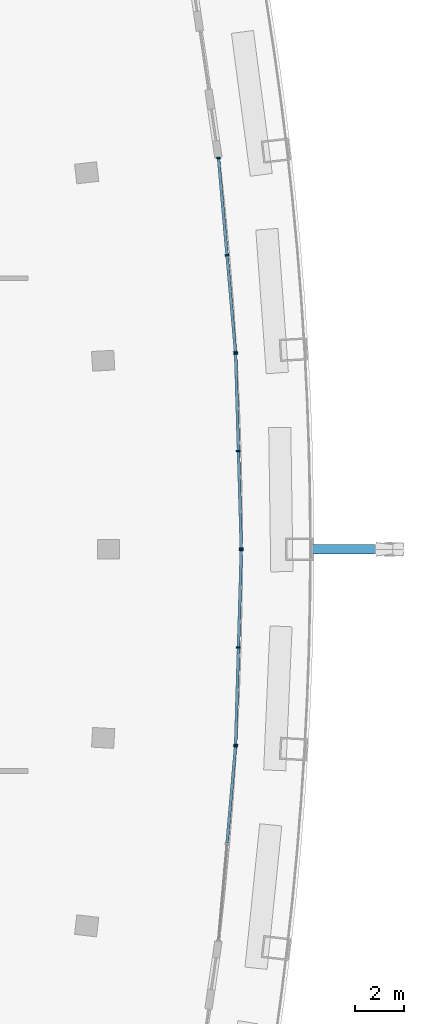
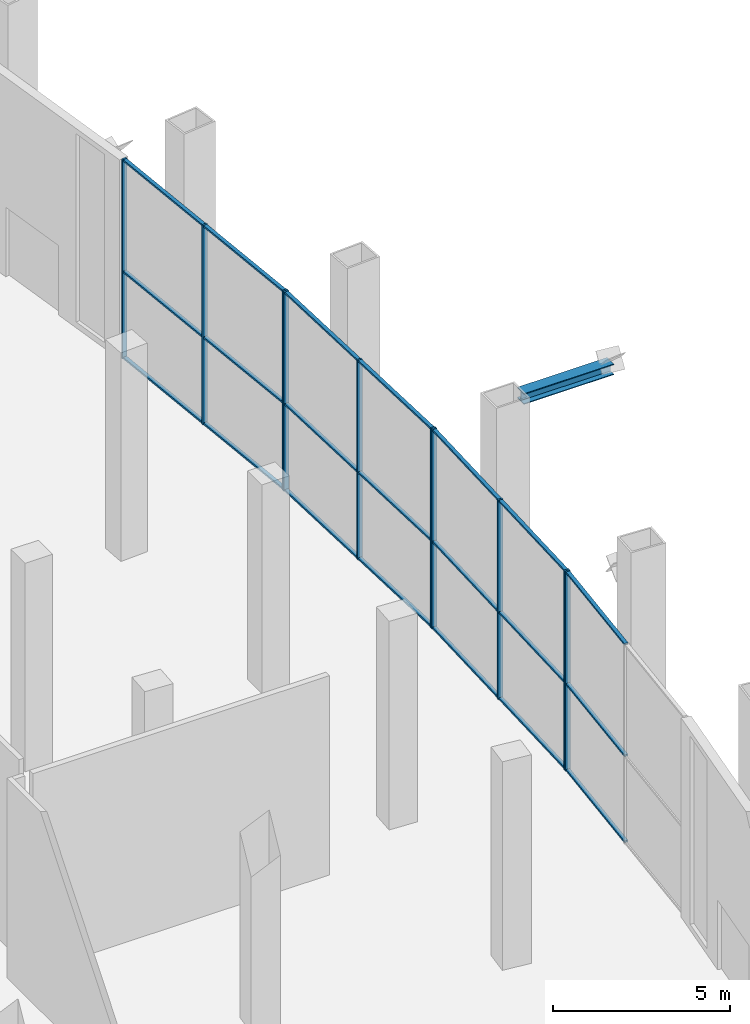
# One storey, part 11 of 26: 32 members, 4 elements without a shape of their own.
"""IFC4 building model written with IfcOpenShell, lengths in metres."""

from ifc_helpers import new_model, si_unit, direction, frame, origin, origin_2d, place, context, subcontext, project, spatial, rectangle, i_section, extrude, material, layer, layer_set, material_profile, profile_set, type_object, element, aggregate, save


model = new_model("IFC4")

# Units and contexts
model_context = context("Model", 3, precision=1e-05, world=origin(), true_north=direction((0.0, 1.0)))
body_context = subcontext(model_context, "Body", "Model", "MODEL_VIEW")
ifc_project = project(units=[si_unit("LENGTHUNIT", "METRE"), si_unit("AREAUNIT", "SQUARE_METRE"), si_unit("VOLUMEUNIT", "CUBIC_METRE"), si_unit("PLANEANGLEUNIT", "RADIAN"), si_unit("MASSUNIT", "GRAM", prefix="KILO")], contexts=[model_context])

# Site, building, storey
site_placement = place(None, origin())
site = spatial("IfcSite", under=ifc_project, at=site_placement, CompositionType="ELEMENT")
building_placement = place(site_placement, origin())
building = spatial("IfcBuilding", under=site, at=building_placement, Name="Alderwake Tower", CompositionType="ELEMENT")
storey_placement = place(building_placement, frame((0.0, 0.0, 182.0)))
storey = spatial("IfcBuildingStorey", under=building, at=storey_placement, Name="L45", CompositionType="ELEMENT", Elevation=182.0)

# Member
ifc_material_1 = material(Name="Steel ASTM A992 Grade 50", Category="steel")
ifc_material_profile_1 = material_profile(ifc_material_1, i_section(OverallWidth=0.3740234375, OverallDepth=0.372314453125, WebThickness=0.016357421875, FlangeThickness=0.026123046875, at=origin_2d()), Name="W14X132")
ifc_profile_set_1 = profile_set([ifc_material_profile_1], Name="Steel ASTM A992 Grade 50")
member_type_1 = type_object("IfcMemberType", Name="Brace node stub W14X132", PredefinedType="MEMBER", material=ifc_profile_set_1)
member_1_placement = place(storey_placement, frame((59.5, 61.0, 6.993896484375), z_axis=(1.0, 0.0, 0.0), x_axis=(0.0, 1.0, 0.0)))
element("IfcMember", 1, at=member_1_placement, inside=storey, type_object=member_type_1, Name="Brace node stub BS.FR07-C5.1892", PredefinedType="MEMBER", context=body_context, shape_type="SweptSolid", body=[
    extrude(i_section(OverallWidth=0.3740234375, OverallDepth=0.372314453125, WebThickness=0.016357421875, FlangeThickness=0.026123046875, at=origin_2d()), origin(), (0.0, 0.0, 1.0), 2.932861328125),
])

# Curtain wall, member
ifc_material_2 = material(Name="Bronze tinted glass in aluminium frame", Category="aluminium")
ifc_layer = layer(ifc_material_2, 0.199951171875)
ifc_layer_set = layer_set([ifc_layer], Name="Curtain wall CW3 sky garden glazing")
curtain_wall_type = type_object("IfcCurtainWallType", Name="Curtain wall CW3 sky garden glazing", PredefinedType="NOTDEFINED", material=ifc_layer_set)
curtain_wall_1_placement = place(storey_placement, origin())
curtain_wall_1 = element("IfcCurtainWall", 2, at=curtain_wall_1_placement, inside=storey, type_object=curtain_wall_type, Name="Curtain wall 3", PredefinedType="NOTDEFINED")
ifc_material_3 = material(Name="Aluminium bronze anodised", Category="aluminium")
ifc_material_profile_2 = material_profile(ifc_material_3, rectangle(XDim=0.159912109375, YDim=0.06005859375, at=origin_2d()), Name="Mullion MUC 60x160")
ifc_profile_set_2 = profile_set([ifc_material_profile_2], Name="Aluminium bronze anodised")
member_type_2 = type_object("IfcMemberType", Name="Mullion MUC 60x160", PredefinedType="MULLION", material=ifc_profile_set_2)
member_2_placement = place(storey_placement, frame((56.4150390625, 53.0048828125, 0.0), z_axis=(0.0, 0.0, 1.0), x_axis=(-0.996173842806, 0.087393792168, 0.0)))
member_2 = element("IfcMember", 3, at=member_2_placement, type_object=member_type_2, Name="CW.03 mullion 3", PredefinedType="MULLION", context=body_context, shape_type="SweptSolid", body=[
    extrude(rectangle(XDim=0.159912109375, YDim=0.06005859375, at=origin_2d()), origin(), (0.0, 0.0, 1.0), 6.8798828125),
])

# Curtain wall, members
curtain_wall_2_placement = place(storey_placement, origin())
curtain_wall_2 = element("IfcCurtainWall", 4, at=curtain_wall_2_placement, inside=storey, type_object=curtain_wall_type, Name="Curtain wall 4", PredefinedType="NOTDEFINED")
member_3_placement = place(storey_placement, frame((56.41845703125, 53.061767578125, 0.0), z_axis=(0.0, 0.0, 1.0), x_axis=(-0.999574729006, 0.029160952175, 0.0)))
member_3 = element("IfcMember", 5, at=member_3_placement, type_object=member_type_2, Name="CW.04 mullion 1", PredefinedType="MULLION", context=body_context, shape_type="SweptSolid", body=[
    extrude(rectangle(XDim=0.159912109375, YDim=0.06005859375, at=origin_2d()), origin(), (0.0, 0.0, 1.0), 6.8798828125),
])
member_4_placement = place(storey_placement, frame((56.53369140625, 57.0166015625, 0.0), z_axis=(0.0, 0.0, 1.0), x_axis=(-0.999574729006, 0.029160952175, 0.0)))
member_4 = element("IfcMember", 6, at=member_4_placement, type_object=member_type_2, Name="CW.04 mullion 2", PredefinedType="MULLION", context=body_context, shape_type="SweptSolid", body=[
    extrude(rectangle(XDim=0.159912109375, YDim=0.06005859375, at=origin_2d()), origin(), (0.0, 0.0, 1.0), 6.8798828125),
])
member_5_placement = place(storey_placement, frame((56.649169921875, 60.971435546875, 0.0), z_axis=(0.0, 0.0, 1.0), x_axis=(-0.999574729006, 0.029160952175, 0.0)))
member_5 = element("IfcMember", 7, at=member_5_placement, type_object=member_type_2, Name="CW.04 mullion 3", PredefinedType="MULLION", context=body_context, shape_type="SweptSolid", body=[
    extrude(rectangle(XDim=0.159912109375, YDim=0.06005859375, at=origin_2d()), origin(), (0.0, 0.0, 1.0), 6.8798828125),
])

curtain_wall_3_placement = place(storey_placement, origin())
curtain_wall_3 = element("IfcCurtainWall", 8, at=curtain_wall_3_placement, inside=storey, type_object=curtain_wall_type, Name="Curtain wall 5", PredefinedType="NOTDEFINED")
member_6_placement = place(storey_placement, frame((56.649169921875, 61.028564453125, 0.0), z_axis=(0.0, 0.0, 1.0), x_axis=(-0.999574729006, -0.029160952175, 0.0)))
member_6 = element("IfcMember", 9, at=member_6_placement, type_object=member_type_2, Name="CW.05 mullion 1", PredefinedType="MULLION", context=body_context, shape_type="SweptSolid", body=[
    extrude(rectangle(XDim=0.159912109375, YDim=0.06005859375, at=origin_2d()), origin(), (0.0, 0.0, 1.0), 6.8798828125),
])
member_7_placement = place(storey_placement, frame((56.53369140625, 64.9833984375, 0.0), z_axis=(0.0, 0.0, 1.0), x_axis=(-0.999574729006, -0.029160952175, 0.0)))
member_7 = element("IfcMember", 10, at=member_7_placement, type_object=member_type_2, Name="CW.05 mullion 2", PredefinedType="MULLION", context=body_context, shape_type="SweptSolid", body=[
    extrude(rectangle(XDim=0.159912109375, YDim=0.06005859375, at=origin_2d()), origin(), (0.0, 0.0, 1.0), 6.8798828125),
])
member_8_placement = place(storey_placement, frame((56.41845703125, 68.938232421875, 0.0), z_axis=(0.0, 0.0, 1.0), x_axis=(-0.999574729006, -0.029160952175, 0.0)))
member_8 = element("IfcMember", 11, at=member_8_placement, type_object=member_type_2, Name="CW.05 mullion 3", PredefinedType="MULLION", context=body_context, shape_type="SweptSolid", body=[
    extrude(rectangle(XDim=0.159912109375, YDim=0.06005859375, at=origin_2d()), origin(), (0.0, 0.0, 1.0), 6.8798828125),
])

curtain_wall_4_placement = place(storey_placement, origin())
curtain_wall_4 = element("IfcCurtainWall", 12, at=curtain_wall_4_placement, inside=storey, type_object=curtain_wall_type, Name="Curtain wall 6", PredefinedType="NOTDEFINED")
member_9_placement = place(storey_placement, frame((56.4150390625, 68.9951171875, 0.0), z_axis=(0.0, 0.0, 1.0), x_axis=(-0.996173842806, -0.087393792168, 0.0)))
member_9 = element("IfcMember", 13, at=member_9_placement, type_object=member_type_2, Name="CW.06 mullion 1", PredefinedType="MULLION", context=body_context, shape_type="SweptSolid", body=[
    extrude(rectangle(XDim=0.159912109375, YDim=0.06005859375, at=origin_2d()), origin(), (0.0, 0.0, 1.0), 6.8798828125),
])
member_10_placement = place(storey_placement, frame((56.0693359375, 72.9365234375, 0.0), z_axis=(0.0, 0.0, 1.0), x_axis=(-0.996173842806, -0.087393792168, 0.0)))
member_10 = element("IfcMember", 14, at=member_10_placement, type_object=member_type_2, Name="CW.06 mullion 2", PredefinedType="MULLION", context=body_context, shape_type="SweptSolid", body=[
    extrude(rectangle(XDim=0.159912109375, YDim=0.06005859375, at=origin_2d()), origin(), (0.0, 0.0, 1.0), 6.8798828125),
])
member_11_placement = place(storey_placement, frame((55.7236328125, 76.8779296875, 0.0), z_axis=(0.0, 0.0, 1.0), x_axis=(-0.996173842806, -0.087393792168, 0.0)))
member_11 = element("IfcMember", 15, at=member_11_placement, type_object=member_type_2, Name="CW.06 mullion 3", PredefinedType="MULLION", context=body_context, shape_type="SweptSolid", body=[
    extrude(rectangle(XDim=0.159912109375, YDim=0.06005859375, at=origin_2d()), origin(), (0.0, 0.0, 1.0), 6.8798828125),
])

# Member
ifc_material_4 = material(Name="Aluminium bronze anodised", Category="aluminium")
ifc_material_profile_3 = material_profile(ifc_material_4, rectangle(XDim=0.1201171875, YDim=0.06005859375, at=origin_2d()), Name="Transom TRC 60x120")
ifc_profile_set_3 = profile_set([ifc_material_profile_3], Name="Aluminium bronze anodised")
member_type_3 = type_object("IfcMemberType", Name="Transom TRC 60x120", PredefinedType="USERDEFINED", material=ifc_profile_set_3)
member_12_placement = place(storey_placement, frame((56.072021484375, 49.093505859375, 0.030029296875), z_axis=(0.087343386342, 0.996178263597, 0.0), x_axis=(-0.996178263597, 0.087343386342, 0.0)))
member_12 = element("IfcMember", 16, at=member_12_placement, type_object=member_type_3, Name="CW.03 transom 2.1", ObjectType="TRANSOM", PredefinedType="USERDEFINED", context=body_context, shape_type="SweptSolid", body=[
    extrude(rectangle(XDim=0.1201171875, YDim=0.06005859375, at=origin_2d()), origin(), (0.0, 0.0, 1.0), 3.896484375),
])

member_13_placement = place(storey_placement, frame((56.072021484375, 49.093505859375, 3.0), z_axis=(0.087343386342, 0.996178263597, 0.0), x_axis=(-0.996178263597, 0.087343386342, 0.0)))
member_13 = element("IfcMember", 17, at=member_13_placement, type_object=member_type_3, Name="CW.03 transom 2.2", ObjectType="TRANSOM", PredefinedType="USERDEFINED", context=body_context, shape_type="SweptSolid", body=[
    extrude(rectangle(XDim=0.1201171875, YDim=0.06005859375, at=origin_2d()), origin(), (0.0, 0.0, 1.0), 3.896484375),
])

member_14_placement = place(storey_placement, frame((56.072021484375, 49.093505859375, 6.85009765625), z_axis=(0.087343386342, 0.996178263597, 0.0), x_axis=(-0.996178263597, 0.087343386342, 0.0)))
member_14 = element("IfcMember", 18, at=member_14_placement, type_object=member_type_3, Name="CW.03 transom 2.3", ObjectType="TRANSOM", PredefinedType="USERDEFINED", context=body_context, shape_type="SweptSolid", body=[
    extrude(rectangle(XDim=0.1201171875, YDim=0.06005859375, at=origin_2d()), origin(), (0.0, 0.0, 1.0), 3.896484375),
])

aggregate(curtain_wall_1, [member_2, member_12, member_13, member_14])

member_15_placement = place(storey_placement, frame((56.419189453125, 53.091796875, 0.030029296875), z_axis=(0.029196523745, 0.999573690631, 0.0), x_axis=(-0.999573690631, 0.029196523745, 0.0)))
member_15 = element("IfcMember", 19, at=member_15_placement, type_object=member_type_3, Name="CW.04 transom 1.1", ObjectType="TRANSOM", PredefinedType="USERDEFINED", context=body_context, shape_type="SweptSolid", body=[
    extrude(rectangle(XDim=0.1201171875, YDim=0.06005859375, at=origin_2d()), origin(), (0.0, 0.0, 1.0), 3.896728515625),
])

member_16_placement = place(storey_placement, frame((56.419189453125, 53.091796875, 3.0), z_axis=(0.029196523745, 0.999573690631, 0.0), x_axis=(-0.999573690631, 0.029196523745, 0.0)))
member_16 = element("IfcMember", 20, at=member_16_placement, type_object=member_type_3, Name="CW.04 transom 1.2", ObjectType="TRANSOM", PredefinedType="USERDEFINED", context=body_context, shape_type="SweptSolid", body=[
    extrude(rectangle(XDim=0.1201171875, YDim=0.06005859375, at=origin_2d()), origin(), (0.0, 0.0, 1.0), 3.896728515625),
])

member_17_placement = place(storey_placement, frame((56.419189453125, 53.091796875, 6.85009765625), z_axis=(0.029196523745, 0.999573690631, 0.0), x_axis=(-0.999573690631, 0.029196523745, 0.0)))
member_17 = element("IfcMember", 21, at=member_17_placement, type_object=member_type_3, Name="CW.04 transom 1.3", ObjectType="TRANSOM", PredefinedType="USERDEFINED", context=body_context, shape_type="SweptSolid", body=[
    extrude(rectangle(XDim=0.1201171875, YDim=0.06005859375, at=origin_2d()), origin(), (0.0, 0.0, 1.0), 3.896728515625),
])

member_18_placement = place(storey_placement, frame((56.53466796875, 57.046630859375, 0.030029296875), z_axis=(0.029135748182, 0.999575463974, 0.0), x_axis=(-0.999575463974, 0.029135748182, 0.0)))
member_18 = element("IfcMember", 22, at=member_18_placement, type_object=member_type_3, Name="CW.04 transom 2.1", ObjectType="TRANSOM", PredefinedType="USERDEFINED", context=body_context, shape_type="SweptSolid", body=[
    extrude(rectangle(XDim=0.1201171875, YDim=0.06005859375, at=origin_2d()), origin(), (0.0, 0.0, 1.0), 3.896484375),
])

member_19_placement = place(storey_placement, frame((56.53466796875, 57.046630859375, 3.0), z_axis=(0.029135748182, 0.999575463974, 0.0), x_axis=(-0.999575463974, 0.029135748182, 0.0)))
member_19 = element("IfcMember", 23, at=member_19_placement, type_object=member_type_3, Name="CW.04 transom 2.2", ObjectType="TRANSOM", PredefinedType="USERDEFINED", context=body_context, shape_type="SweptSolid", body=[
    extrude(rectangle(XDim=0.1201171875, YDim=0.06005859375, at=origin_2d()), origin(), (0.0, 0.0, 1.0), 3.896484375),
])

member_20_placement = place(storey_placement, frame((56.53466796875, 57.046630859375, 6.85009765625), z_axis=(0.029135748182, 0.999575463974, 0.0), x_axis=(-0.999575463974, 0.029135748182, 0.0)))
member_20 = element("IfcMember", 24, at=member_20_placement, type_object=member_type_3, Name="CW.04 transom 2.3", ObjectType="TRANSOM", PredefinedType="USERDEFINED", context=body_context, shape_type="SweptSolid", body=[
    extrude(rectangle(XDim=0.1201171875, YDim=0.06005859375, at=origin_2d()), origin(), (0.0, 0.0, 1.0), 3.896484375),
])

aggregate(curtain_wall_2, [member_3, member_4, member_5, member_15, member_16, member_17, member_18, member_19, member_20])

member_21_placement = place(storey_placement, frame((56.648193359375, 61.05859375, 0.030029296875), z_axis=(-0.029135748182, 0.999575463974, 0.0), x_axis=(-0.999575463974, -0.029135748182, 0.0)))
member_21 = element("IfcMember", 25, at=member_21_placement, type_object=member_type_3, Name="CW.05 transom 1.1", ObjectType="TRANSOM", PredefinedType="USERDEFINED", context=body_context, shape_type="SweptSolid", body=[
    extrude(rectangle(XDim=0.1201171875, YDim=0.06005859375, at=origin_2d()), origin(), (0.0, 0.0, 1.0), 3.896484375),
])

member_22_placement = place(storey_placement, frame((56.648193359375, 61.05859375, 3.0), z_axis=(-0.029135748182, 0.999575463974, 0.0), x_axis=(-0.999575463974, -0.029135748182, 0.0)))
member_22 = element("IfcMember", 26, at=member_22_placement, type_object=member_type_3, Name="CW.05 transom 1.2", ObjectType="TRANSOM", PredefinedType="USERDEFINED", context=body_context, shape_type="SweptSolid", body=[
    extrude(rectangle(XDim=0.1201171875, YDim=0.06005859375, at=origin_2d()), origin(), (0.0, 0.0, 1.0), 3.896484375),
])

member_23_placement = place(storey_placement, frame((56.648193359375, 61.05859375, 6.85009765625), z_axis=(-0.029135748182, 0.999575463974, 0.0), x_axis=(-0.999575463974, -0.029135748182, 0.0)))
member_23 = element("IfcMember", 27, at=member_23_placement, type_object=member_type_3, Name="CW.05 transom 1.3", ObjectType="TRANSOM", PredefinedType="USERDEFINED", context=body_context, shape_type="SweptSolid", body=[
    extrude(rectangle(XDim=0.1201171875, YDim=0.06005859375, at=origin_2d()), origin(), (0.0, 0.0, 1.0), 3.896484375),
])

member_24_placement = place(storey_placement, frame((56.532958984375, 65.01318359375, 0.030029296875), z_axis=(-0.029196523745, 0.999573690631, 0.0), x_axis=(-0.999573690631, -0.029196523745, 0.0)))
member_24 = element("IfcMember", 28, at=member_24_placement, type_object=member_type_3, Name="CW.05 transom 2.1", ObjectType="TRANSOM", PredefinedType="USERDEFINED", context=body_context, shape_type="SweptSolid", body=[
    extrude(rectangle(XDim=0.1201171875, YDim=0.06005859375, at=origin_2d()), origin(), (0.0, 0.0, 1.0), 3.896728515625),
])

member_25_placement = place(storey_placement, frame((56.532958984375, 65.01318359375, 3.0), z_axis=(-0.029196523745, 0.999573690631, 0.0), x_axis=(-0.999573690631, -0.029196523745, 0.0)))
member_25 = element("IfcMember", 29, at=member_25_placement, type_object=member_type_3, Name="CW.05 transom 2.2", ObjectType="TRANSOM", PredefinedType="USERDEFINED", context=body_context, shape_type="SweptSolid", body=[
    extrude(rectangle(XDim=0.1201171875, YDim=0.06005859375, at=origin_2d()), origin(), (0.0, 0.0, 1.0), 3.896728515625),
])

member_26_placement = place(storey_placement, frame((56.532958984375, 65.01318359375, 6.85009765625), z_axis=(-0.029196523745, 0.999573690631, 0.0), x_axis=(-0.999573690631, -0.029196523745, 0.0)))
member_26 = element("IfcMember", 30, at=member_26_placement, type_object=member_type_3, Name="CW.05 transom 2.3", ObjectType="TRANSOM", PredefinedType="USERDEFINED", context=body_context, shape_type="SweptSolid", body=[
    extrude(rectangle(XDim=0.1201171875, YDim=0.06005859375, at=origin_2d()), origin(), (0.0, 0.0, 1.0), 3.896728515625),
])

aggregate(curtain_wall_3, [member_6, member_7, member_8, member_21, member_22, member_23, member_24, member_25, member_26])

member_27_placement = place(storey_placement, frame((56.412353515625, 69.02490234375, 0.030029296875), z_axis=(-0.087343386342, 0.996178263597, 0.0), x_axis=(-0.996178263597, -0.087343386342, 0.0)))
member_27 = element("IfcMember", 31, at=member_27_placement, type_object=member_type_3, Name="CW.06 transom 1.1", ObjectType="TRANSOM", PredefinedType="USERDEFINED", context=body_context, shape_type="SweptSolid", body=[
    extrude(rectangle(XDim=0.1201171875, YDim=0.06005859375, at=origin_2d()), origin(), (0.0, 0.0, 1.0), 3.896484375),
])

member_28_placement = place(storey_placement, frame((56.412353515625, 69.02490234375, 3.0), z_axis=(-0.087343386342, 0.996178263597, 0.0), x_axis=(-0.996178263597, -0.087343386342, 0.0)))
member_28 = element("IfcMember", 32, at=member_28_placement, type_object=member_type_3, Name="CW.06 transom 1.2", ObjectType="TRANSOM", PredefinedType="USERDEFINED", context=body_context, shape_type="SweptSolid", body=[
    extrude(rectangle(XDim=0.1201171875, YDim=0.06005859375, at=origin_2d()), origin(), (0.0, 0.0, 1.0), 3.896484375),
])

member_29_placement = place(storey_placement, frame((56.412353515625, 69.02490234375, 6.85009765625), z_axis=(-0.087343386342, 0.996178263597, 0.0), x_axis=(-0.996178263597, -0.087343386342, 0.0)))
member_29 = element("IfcMember", 33, at=member_29_placement, type_object=member_type_3, Name="CW.06 transom 1.3", ObjectType="TRANSOM", PredefinedType="USERDEFINED", context=body_context, shape_type="SweptSolid", body=[
    extrude(rectangle(XDim=0.1201171875, YDim=0.06005859375, at=origin_2d()), origin(), (0.0, 0.0, 1.0), 3.896484375),
])

member_30_placement = place(storey_placement, frame((56.066650390625, 72.96630859375, 0.030029296875), z_axis=(-0.087400109282, 0.996173288589, 0.0), x_axis=(-0.996173288589, -0.087400109282, 0.0)))
member_30 = element("IfcMember", 34, at=member_30_placement, type_object=member_type_3, Name="CW.06 transom 2.1", ObjectType="TRANSOM", PredefinedType="USERDEFINED", context=body_context, shape_type="SweptSolid", body=[
    extrude(rectangle(XDim=0.1201171875, YDim=0.06005859375, at=origin_2d()), origin(), (0.0, 0.0, 1.0), 3.896728515625),
])

member_31_placement = place(storey_placement, frame((56.066650390625, 72.96630859375, 3.0), z_axis=(-0.087400109282, 0.996173288589, 0.0), x_axis=(-0.996173288589, -0.087400109282, 0.0)))
member_31 = element("IfcMember", 35, at=member_31_placement, type_object=member_type_3, Name="CW.06 transom 2.2", ObjectType="TRANSOM", PredefinedType="USERDEFINED", context=body_context, shape_type="SweptSolid", body=[
    extrude(rectangle(XDim=0.1201171875, YDim=0.06005859375, at=origin_2d()), origin(), (0.0, 0.0, 1.0), 3.896728515625),
])

member_32_placement = place(storey_placement, frame((56.066650390625, 72.96630859375, 6.85009765625), z_axis=(-0.087400109282, 0.996173288589, 0.0), x_axis=(-0.996173288589, -0.087400109282, 0.0)))
member_32 = element("IfcMember", 36, at=member_32_placement, type_object=member_type_3, Name="CW.06 transom 2.3", ObjectType="TRANSOM", PredefinedType="USERDEFINED", context=body_context, shape_type="SweptSolid", body=[
    extrude(rectangle(XDim=0.1201171875, YDim=0.06005859375, at=origin_2d()), origin(), (0.0, 0.0, 1.0), 3.896728515625),
])

aggregate(curtain_wall_4, [member_9, member_10, member_11, member_27, member_28, member_29, member_30, member_31, member_32])

save(model, "model.ifc")
